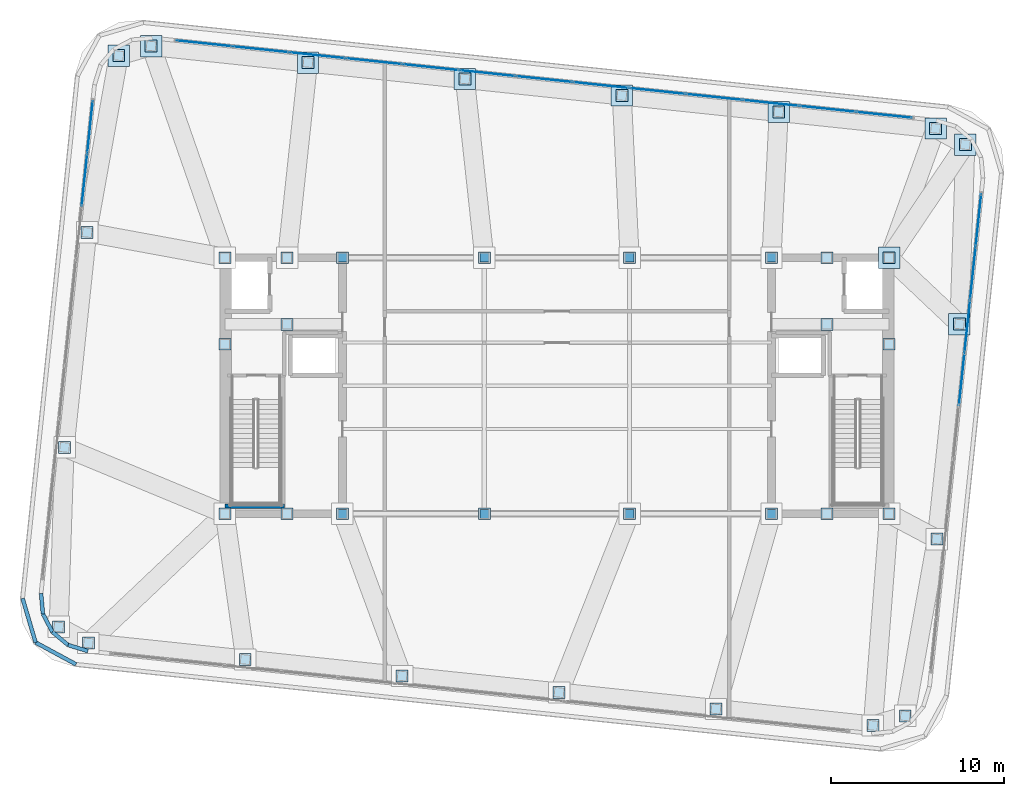
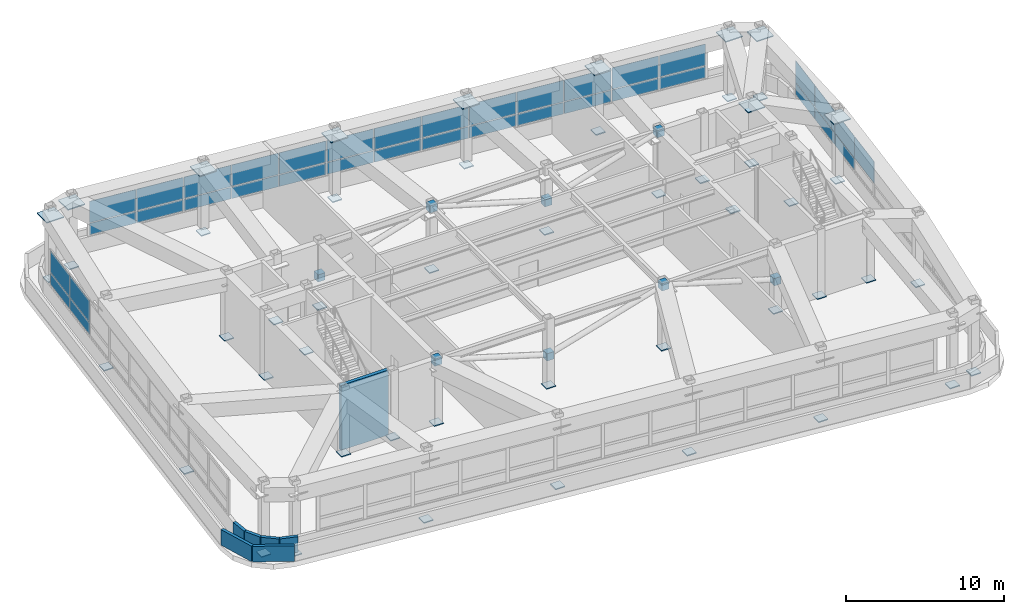
# One storey, part 18 of 22: 95 plates, 7 walls, 3 elements without a shape of their own.
"""IFC4 building model written with IfcOpenShell, lengths in metres."""

from ifc_helpers import new_model, si_unit, direction, frame, frame_2d, origin, origin_2d, place, context, subcontext, project, spatial, rectangle, extrude, material, layer, layer_set, type_object, element, aggregate, save


model = new_model("IFC4")

# Units and contexts
model_context = context("Model", 3, precision=1e-05, world=origin(), true_north=direction((0.0, 1.0)))
body_context = subcontext(model_context, "Body", "Model", "MODEL_VIEW")
ifc_project = project(units=[si_unit("LENGTHUNIT", "METRE"), si_unit("AREAUNIT", "SQUARE_METRE"), si_unit("VOLUMEUNIT", "CUBIC_METRE"), si_unit("PLANEANGLEUNIT", "RADIAN"), si_unit("MASSUNIT", "GRAM", prefix="KILO")], contexts=[model_context])

# Site, building, storey
site_placement = place(None, origin())
site = spatial("IfcSite", under=ifc_project, at=site_placement, CompositionType="ELEMENT")
building_placement = place(site_placement, origin())
building = spatial("IfcBuilding", under=site, at=building_placement, Name="Voryun Gate Residences", CompositionType="ELEMENT")
storey_placement = place(building_placement, frame((0.0, 0.0, 310.699951171875)))
storey = spatial("IfcBuildingStorey", under=building, at=storey_placement, Name="L77", CompositionType="ELEMENT", Elevation=310.699951171875)

# Plates
ifc_material_1 = material(Name="Steel SM355", Category="steel")
ifc_layer_1 = layer(ifc_material_1, 0.02490234375, Name="PLT_END_CAP_25")
ifc_layer_set_1 = layer_set([ifc_layer_1], Name="Steel SM355")
plate_type_1 = type_object("IfcPlateType", Name="PLT_END_CAP_25", PredefinedType="USERDEFINED", material=ifc_layer_set_1)
for number, where, z_axis, x_axis, name in (
    (1, (-19.199951171875, -7.39990234375, -0.0400390625), (0.0, 0.0, 1.0), (1.0, 0.0, 0.0), "L77 Hollow Member End-Cap Plate EC-001"),
    (2, (-19.199951171875, 2.39990234375, -0.0400390625), (0.0, 0.0, 1.0), (1.0, 0.0, 0.0), "L77 Hollow Member End-Cap Plate EC-002"),
    (3, (-19.199951171875, 7.39990234375, -0.0400390625), (0.0, 0.0, 1.0), (1.0, 0.0, 0.0), "L77 Hollow Member End-Cap Plate EC-003"),
    (4, (-15.60009765625, -7.39990234375, -0.0400390625), (0.0, 0.0, 1.0), (1.0, 0.0, 0.0), "L77 Hollow Member End-Cap Plate EC-004"),
    (5, (-15.60009765625, 7.39990234375, -0.0400390625), (0.0, 0.0, 1.0), (1.0, 0.0, 0.0), "L77 Hollow Member End-Cap Plate EC-005"),
    (6, (-12.39990234375, -7.39990234375, -0.0400390625), (0.0, 0.0, 1.0), (1.0, 0.0, 0.0), "L77 Hollow Member End-Cap Plate EC-006"),
    (7, (-15.60009765625, 3.550048828125, -0.0400390625), (0.0, 0.0, 1.0), (1.0, 0.0, 0.0), "L77 Hollow Member End-Cap Plate EC-007"),
    (8, (-12.39990234375, 7.39990234375, -0.0400390625), (0.0, 0.0, 1.0), (1.0, 0.0, 0.0), "L77 Hollow Member End-Cap Plate EC-008"),
    (9, (12.39990234375, -7.39990234375, -0.0400390625), (0.0, 0.0, 1.0), (1.0, 0.0, 0.0), "L77 Hollow Member End-Cap Plate EC-009"),
    (10, (15.60009765625, 3.550048828125, -0.0400390625), (0.0, 0.0, 1.0), (1.0, 0.0, 0.0), "L77 Hollow Member End-Cap Plate EC-010"),
    (11, (12.39990234375, 7.39990234375, -0.0400390625), (0.0, 0.0, 1.0), (1.0, 0.0, 0.0), "L77 Hollow Member End-Cap Plate EC-011"),
    (12, (15.60009765625, -7.39990234375, -0.0400390625), (0.0, 0.0, 1.0), (1.0, 0.0, 0.0), "L77 Hollow Member End-Cap Plate EC-012"),
    (13, (15.60009765625, 7.39990234375, -0.0400390625), (0.0, 0.0, 1.0), (1.0, 0.0, 0.0), "L77 Hollow Member End-Cap Plate EC-013"),
    (14, (19.199951171875, -7.39990234375, -0.0400390625), (0.0, 0.0, 1.0), (1.0, 0.0, 0.0), "L77 Hollow Member End-Cap Plate EC-014"),
    (15, (19.199951171875, 2.39990234375, -0.0400390625), (0.0, 0.0, 1.0), (1.0, 0.0, 0.0), "L77 Hollow Member End-Cap Plate EC-015"),
    (16, (19.199951171875, 7.39990234375, -0.0400390625), (0.0, 0.0, 1.0), (1.0, 0.0, 0.0), "L77 Hollow Member End-Cap Plate EC-016"),
    (17, (-4.199951171875, -7.39990234375, -0.0400390625), (0.0, 0.0, 1.0), (1.0, 0.0, 0.0), "L77 Hollow Member End-Cap Plate EC-045"),
    (18, (-4.199951171875, 7.39990234375, -0.0400390625), (0.0, 0.0, 1.0), (1.0, 0.0, 0.0), "L77 Hollow Member End-Cap Plate EC-046"),
    (19, (4.199951171875, -7.39990234375, -0.0400390625), (0.0, 0.0, 1.0), (1.0, 0.0, 0.0), "L77 Hollow Member End-Cap Plate EC-047"),
    (20, (4.199951171875, 7.39990234375, -0.0400390625), (0.0, 0.0, 1.0), (1.0, 0.0, 0.0), "L77 Hollow Member End-Cap Plate EC-048"),
    (21, (-27.088623046875, -14.87158203125, -0.43994140625), (0.0, 0.0, 1.0), (1.0, 0.0, 0.0), "L77 Hollow Member End-Cap Plate EC-893"),
    (22, (-18.0185546875, -15.824951171875, -0.43994140625), (0.0, 0.0, 1.0), (1.0, 0.0, 0.0), "L77 Hollow Member End-Cap Plate EC-894"),
    (23, (-8.948486328125, -16.7783203125, -0.43994140625), (0.0, 0.0, 1.0), (1.0, 0.0, 0.0), "L77 Hollow Member End-Cap Plate EC-895"),
    (24, (0.12158203125, -17.731689453125, -0.43994140625), (0.0, 0.0, 1.0), (1.0, 0.0, 0.0), "L77 Hollow Member End-Cap Plate EC-896"),
    (25, (9.19140625, -18.684814453125, -0.43994140625), (0.0, 0.0, 1.0), (1.0, 0.0, 0.0), "L77 Hollow Member End-Cap Plate EC-897"),
    (26, (18.261474609375, -19.63818359375, -0.43994140625), (0.0, 0.0, 1.0), (1.0, 0.0, 0.0), "L77 Hollow Member End-Cap Plate EC-898"),
    (27, (20.1328125, -19.083984375, -0.43994140625), (0.0, 0.0, 1.0), (1.0, 0.0, 0.0), "L77 Hollow Member End-Cap Plate EC-899"),
    (28, (21.958251953125, -8.861572265625, -0.43994140625), (0.0, 0.0, 1.0), (1.0, 0.0, 0.0), "L77 Hollow Member End-Cap Plate EC-900"),
    (29, (23.263916015625, 3.56201171875, -0.43994140625), (0.0, 0.0, 1.0), (1.0, 0.0, 0.0), "L77 Hollow Member End-Cap Plate EC-901"),
    (30, (23.603759765625, 13.9404296875, -0.43994140625), (0.0, 0.0, 1.0), (1.0, 0.0, 0.0), "L77 Hollow Member End-Cap Plate EC-902"),
    (31, (21.888671875, 14.87158203125, -0.43994140625), (0.0, 0.0, 1.0), (1.0, 0.0, 0.0), "L77 Hollow Member End-Cap Plate EC-903"),
    (32, (12.818603515625, 15.824951171875, -0.43994140625), (0.0, 0.0, 1.0), (1.0, 0.0, 0.0), "L77 Hollow Member End-Cap Plate EC-904"),
    (33, (3.74853515625, 16.7783203125, -0.43994140625), (0.0, 0.0, 1.0), (1.0, 0.0, 0.0), "L77 Hollow Member End-Cap Plate EC-905"),
    (34, (-5.321533203125, 17.731689453125, -0.43994140625), (0.0, 0.0, 1.0), (1.0, 0.0, 0.0), "L77 Hollow Member End-Cap Plate EC-906"),
    (35, (-14.3916015625, 18.684814453125, -0.43994140625), (0.0, 0.0, 1.0), (1.0, 0.0, 0.0), "L77 Hollow Member End-Cap Plate EC-907"),
    (36, (-23.46142578125, 19.63818359375, -0.43994140625), (0.0, 0.0, 1.0), (1.0, 0.0, 0.0), "L77 Hollow Member End-Cap Plate EC-908"),
    (37, (-25.332763671875, 19.083984375, -0.43994140625), (0.0, 0.0, 1.0), (1.0, 0.0, 0.0), "L77 Hollow Member End-Cap Plate EC-909"),
    (38, (-27.158203125, 8.861572265625, -0.43994140625), (0.0, 0.0, 1.0), (1.0, 0.0, 0.0), "L77 Hollow Member End-Cap Plate EC-910"),
    (39, (-28.464111328125, -3.56201171875, -0.43994140625), (0.0, 0.0, 1.0), (1.0, 0.0, 0.0), "L77 Hollow Member End-Cap Plate EC-911"),
    (40, (-28.8037109375, -13.9404296875, -0.43994140625), (0.0, 0.0, 1.0), (1.0, 0.0, 0.0), "L77 Hollow Member End-Cap Plate EC-912"),
):
    element("IfcPlate", number, at=place(storey_placement, frame(where, z_axis=z_axis, x_axis=x_axis)), inside=storey, type_object=plate_type_1, Name=name, ObjectType="BASE_PLATE", PredefinedType="USERDEFINED", context=body_context, shape_type="SweptSolid", body=[
        extrude(rectangle(XDim=0.68994140625, YDim=0.68994140625, at=origin_2d()), origin(), (0.0, 0.0, 1.0), 0.080078125),
    ])
for number, where, z_axis, x_axis, name in (
    (41, (23.263916015625, 3.56201171875, 4.43505859375), (0.0, 0.0, 1.0), (1.0, 0.0, 0.0), "L77 Hollow Member End-Cap Plate EC-921"),
    (42, (23.603759765625, 13.9404296875, 4.43505859375), (0.0, 0.0, 1.0), (1.0, 0.0, 0.0), "L77 Hollow Member End-Cap Plate EC-922"),
    (43, (21.888671875, 14.87158203125, 4.43505859375), (0.0, 0.0, 1.0), (1.0, 0.0, 0.0), "L77 Hollow Member End-Cap Plate EC-923"),
    (44, (12.818603515625, 15.824951171875, 4.43505859375), (0.0, 0.0, 1.0), (1.0, 0.0, 0.0), "L77 Hollow Member End-Cap Plate EC-924"),
    (45, (3.74853515625, 16.7783203125, 4.43505859375), (0.0, 0.0, 1.0), (1.0, 0.0, 0.0), "L77 Hollow Member End-Cap Plate EC-925"),
    (46, (-5.3212890625, 17.731689453125, 4.43505859375), (0.0, 0.0, 1.0), (1.0, 0.0, 0.0), "L77 Hollow Member End-Cap Plate EC-926"),
    (47, (-14.3916015625, 18.684814453125, 4.43505859375), (0.0, 0.0, 1.0), (1.0, 0.0, 0.0), "L77 Hollow Member End-Cap Plate EC-927"),
    (48, (-23.46142578125, 19.63818359375, 4.43505859375), (0.0, 0.0, 1.0), (1.0, 0.0, 0.0), "L77 Hollow Member End-Cap Plate EC-928"),
    (49, (-25.332763671875, 19.083984375, 4.43505859375), (0.0, 0.0, 1.0), (1.0, 0.0, 0.0), "L77 Hollow Member End-Cap Plate EC-929"),
    (50, (19.199951171875, 7.39990234375, 4.43505859375), (0.0, 0.0, 1.0), (1.0, 0.0, 0.0), "L77 Hollow Member End-Cap Plate EC-938"),
):
    element("IfcPlate", number, at=place(storey_placement, frame(where, z_axis=z_axis, x_axis=x_axis)), inside=storey, type_object=plate_type_1, Name=name, ObjectType="BASE_PLATE", PredefinedType="USERDEFINED", context=body_context, shape_type="SweptSolid", body=[
        extrude(rectangle(XDim=1.239990234375, YDim=1.239990234375, at=origin_2d()), origin(), (0.0, 0.0, 1.0), 0.080078125),
    ])
for number, where, z_axis, x_axis, name in (
    (51, (-4.199951171875, -7.39990234375, 2.10009765625), (0.0, 0.0, 1.0), (1.0, 0.0, 0.0), "L77 Brace Node Connection Plate BN-944"),
    (52, (4.199951171875, -7.39990234375, 4.56494140625), (0.0, 0.0, 1.0), (1.0, 0.0, 0.0), "L77 Brace Node Connection Plate BN-946"),
    (53, (-12.39990234375, 7.39990234375, 2.10009765625), (0.0, 0.0, 1.0), (1.0, 0.0, 0.0), "L77 Brace Node Connection Plate BN-948"),
    (54, (4.199951171875, 7.39990234375, 2.10009765625), (0.0, 0.0, 1.0), (1.0, 0.0, 0.0), "L77 Brace Node Connection Plate BN-950"),
):
    element("IfcPlate", number, at=place(storey_placement, frame(where, z_axis=z_axis, x_axis=x_axis)), inside=storey, type_object=plate_type_1, Name=name, ObjectType="BASE_PLATE", PredefinedType="USERDEFINED", context=body_context, shape_type="SweptSolid", body=[
        extrude(rectangle(XDim=0.52001953125, YDim=0.52001953125, at=origin_2d()), origin(), (0.0, 0.0, 1.0), 0.56005859375),
    ])

# Curtain wall, plates
ifc_material_2 = material(Name="Anodised aluminium", Category="aluminium")
ifc_layer_2 = layer(ifc_material_2, 0.22998046875, Name="CW_SYS_LANTERN_DARK_GLASS")
ifc_layer_set_2 = layer_set([ifc_layer_2], Name="Anodised aluminium")
curtain_wall_type = type_object("IfcCurtainWallType", Name="CW_SYS_LANTERN_DARK_GLASS", PredefinedType="NOTDEFINED", material=ifc_layer_set_2)
curtain_wall_1_placement = place(storey_placement, origin())
curtain_wall_1 = element("IfcCurtainWall", 55, at=curtain_wall_1_placement, inside=storey, type_object=curtain_wall_type, Name="Curtain wall CW6-L77-06", PredefinedType="NOTDEFINED")
ifc_material_3 = material(Name="Fritted lantern glass", Category="glass")
ifc_layer_3 = layer(ifc_material_3, 0.050048828125, Name="PLT_GLASS_FRIT_LANTERN")
ifc_layer_set_3 = layer_set([ifc_layer_3], Name="Fritted lantern glass")
plate_type_2 = type_object("IfcPlateType", Name="PLT_GLASS_FRIT_LANTERN", PredefinedType="CURTAIN_PANEL", material=ifc_layer_set_3)
plate_1_placement = place(storey_placement, frame((-27.310302734375, 11.91162109375, 1.25), z_axis=(0.0, 0.0, 1.0), x_axis=(0.104528004296, 0.994521943608, 0.0)))
plate_1 = element("IfcPlate", 56, at=plate_1_placement, type_object=plate_type_2, Name="CW6 panel 8.1", PredefinedType="CURTAIN_PANEL", context=body_context, shape_type="SweptSolid", body=[
    extrude(rectangle(XDim=3.02783203125, YDim=0.028076171875, at=origin_2d()), origin(), (0.0, 0.0, 1.0), 0.89111328125),
])
plate_2_placement = place(storey_placement, frame((-27.310302734375, 11.91162109375, 2.201171875), z_axis=(0.0, 0.0, 1.0), x_axis=(0.104528004296, 0.994521943608, 0.0)))
plate_2 = element("IfcPlate", 57, at=plate_2_placement, type_object=plate_type_2, Name="CW6 panel 8.2", PredefinedType="CURTAIN_PANEL", context=body_context, shape_type="SweptSolid", body=[
    extrude(rectangle(XDim=3.02783203125, YDim=0.028076171875, at=origin_2d()), origin(), (0.0, 0.0, 1.0), 1.654052734375),
])
plate_3_placement = place(storey_placement, frame((-26.989013671875, 14.9677734375, 1.25), z_axis=(0.0, 0.0, 1.0), x_axis=(0.104528004296, 0.994521943608, 0.0)))
plate_3 = element("IfcPlate", 58, at=plate_3_placement, type_object=plate_type_2, Name="CW6 panel 9.1", PredefinedType="CURTAIN_PANEL", context=body_context, shape_type="SweptSolid", body=[
    extrude(rectangle(XDim=2.997802734375, YDim=0.028076171875, at=origin_2d()), origin(), (0.0, 0.0, 1.0), 0.89111328125),
])
plate_4_placement = place(storey_placement, frame((-26.989013671875, 14.9677734375, 2.201171875), z_axis=(0.0, 0.0, 1.0), x_axis=(0.104528004296, 0.994521943608, 0.0)))
plate_4 = element("IfcPlate", 59, at=plate_4_placement, type_object=plate_type_2, Name="CW6 panel 9.2", PredefinedType="CURTAIN_PANEL", context=body_context, shape_type="SweptSolid", body=[
    extrude(rectangle(XDim=2.997802734375, YDim=0.028076171875, at=origin_2d()), origin(), (0.0, 0.0, 1.0), 1.654052734375),
])
aggregate(curtain_wall_1, [plate_1, plate_2, plate_3, plate_4])

curtain_wall_2_placement = place(storey_placement, origin())
curtain_wall_2 = element("IfcCurtainWall", 60, at=curtain_wall_2_placement, inside=storey, type_object=curtain_wall_type, Name="Curtain wall CW6-L77-11", PredefinedType="NOTDEFINED")
plate_5_placement = place(storey_placement, frame((-20.382080078125, 19.787109375, 1.25), z_axis=(0.0, 0.0, 1.0), x_axis=(0.994521969434, -0.10452775858, 0.0)))
plate_5 = element("IfcPlate", 61, at=plate_5_placement, type_object=plate_type_2, Name="CW6 panel 1.1", PredefinedType="CURTAIN_PANEL", context=body_context, shape_type="SweptSolid", body=[
    extrude(rectangle(XDim=3.20458984375, YDim=0.028076171875, at=origin_2d()), origin(), (0.0, 0.0, 1.0), 0.89111328125),
])
plate_6_placement = place(storey_placement, frame((-20.382080078125, 19.787109375, 2.201171875), z_axis=(0.0, 0.0, 1.0), x_axis=(0.994521969434, -0.10452775858, 0.0)))
plate_6 = element("IfcPlate", 62, at=plate_6_placement, type_object=plate_type_2, Name="CW6 panel 1.2", PredefinedType="CURTAIN_PANEL", context=body_context, shape_type="SweptSolid", body=[
    extrude(rectangle(XDim=3.20458984375, YDim=0.028076171875, at=origin_2d()), origin(), (0.0, 0.0, 1.0), 1.654052734375),
])
plate_7_placement = place(storey_placement, frame((-17.120361328125, 19.4443359375, 1.25), z_axis=(0.0, 0.0, 1.0), x_axis=(0.994521969434, -0.10452775858, 0.0)))
plate_7 = element("IfcPlate", 63, at=plate_7_placement, type_object=plate_type_2, Name="CW6 panel 2.1", PredefinedType="CURTAIN_PANEL", context=body_context, shape_type="SweptSolid", body=[
    extrude(rectangle(XDim=3.234619140625, YDim=0.028076171875, at=origin_2d()), origin(), (0.0, 0.0, 1.0), 0.89111328125),
])
plate_8_placement = place(storey_placement, frame((-17.120361328125, 19.4443359375, 2.201171875), z_axis=(0.0, 0.0, 1.0), x_axis=(0.994521969434, -0.10452775858, 0.0)))
plate_8 = element("IfcPlate", 64, at=plate_8_placement, type_object=plate_type_2, Name="CW6 panel 2.2", PredefinedType="CURTAIN_PANEL", context=body_context, shape_type="SweptSolid", body=[
    extrude(rectangle(XDim=3.234619140625, YDim=0.028076171875, at=origin_2d()), origin(), (0.0, 0.0, 1.0), 1.654052734375),
])
plate_9_placement = place(storey_placement, frame((-13.84375, 19.099853515625, 1.25), z_axis=(0.0, 0.0, 1.0), x_axis=(0.994521969434, -0.10452775858, 0.0)))
plate_9 = element("IfcPlate", 65, at=plate_9_placement, type_object=plate_type_2, Name="CW6 panel 3.1", PredefinedType="CURTAIN_PANEL", context=body_context, shape_type="SweptSolid", body=[
    extrude(rectangle(XDim=3.234619140625, YDim=0.028076171875, at=origin_2d()), origin(), (0.0, 0.0, 1.0), 0.89111328125),
])
plate_10_placement = place(storey_placement, frame((-13.84375, 19.099853515625, 2.201171875), z_axis=(0.0, 0.0, 1.0), x_axis=(0.994521969434, -0.10452775858, 0.0)))
plate_10 = element("IfcPlate", 66, at=plate_10_placement, type_object=plate_type_2, Name="CW6 panel 3.2", PredefinedType="CURTAIN_PANEL", context=body_context, shape_type="SweptSolid", body=[
    extrude(rectangle(XDim=3.234619140625, YDim=0.028076171875, at=origin_2d()), origin(), (0.0, 0.0, 1.0), 1.654052734375),
])
plate_11_placement = place(storey_placement, frame((-10.567138671875, 18.755615234375, 1.25), z_axis=(0.0, 0.0, 1.0), x_axis=(0.994521969434, -0.10452775858, 0.0)))
plate_11 = element("IfcPlate", 67, at=plate_11_placement, type_object=plate_type_2, Name="CW6 panel 4.1", PredefinedType="CURTAIN_PANEL", context=body_context, shape_type="SweptSolid", body=[
    extrude(rectangle(XDim=3.234619140625, YDim=0.028076171875, at=origin_2d()), origin(), (0.0, 0.0, 1.0), 0.89111328125),
])
plate_12_placement = place(storey_placement, frame((-10.567138671875, 18.755615234375, 2.201171875), z_axis=(0.0, 0.0, 1.0), x_axis=(0.994521969434, -0.10452775858, 0.0)))
plate_12 = element("IfcPlate", 68, at=plate_12_placement, type_object=plate_type_2, Name="CW6 panel 4.2", PredefinedType="CURTAIN_PANEL", context=body_context, shape_type="SweptSolid", body=[
    extrude(rectangle(XDim=3.234619140625, YDim=0.028076171875, at=origin_2d()), origin(), (0.0, 0.0, 1.0), 1.654052734375),
])
plate_13_placement = place(storey_placement, frame((-7.29052734375, 18.4111328125, 1.25), z_axis=(0.0, 0.0, 1.0), x_axis=(0.994521969434, -0.10452775858, 0.0)))
plate_13 = element("IfcPlate", 69, at=plate_13_placement, type_object=plate_type_2, Name="CW6 panel 5.1", PredefinedType="CURTAIN_PANEL", context=body_context, shape_type="SweptSolid", body=[
    extrude(rectangle(XDim=3.234619140625, YDim=0.028076171875, at=origin_2d()), origin(), (0.0, 0.0, 1.0), 0.89111328125),
])
plate_14_placement = place(storey_placement, frame((-7.29052734375, 18.4111328125, 2.201171875), z_axis=(0.0, 0.0, 1.0), x_axis=(0.994521969434, -0.10452775858, 0.0)))
plate_14 = element("IfcPlate", 70, at=plate_14_placement, type_object=plate_type_2, Name="CW6 panel 5.2", PredefinedType="CURTAIN_PANEL", context=body_context, shape_type="SweptSolid", body=[
    extrude(rectangle(XDim=3.234619140625, YDim=0.028076171875, at=origin_2d()), origin(), (0.0, 0.0, 1.0), 1.654052734375),
])
plate_15_placement = place(storey_placement, frame((-4.013916015625, 18.06689453125, 1.25), z_axis=(0.0, 0.0, 1.0), x_axis=(0.994521969434, -0.10452775858, 0.0)))
plate_15 = element("IfcPlate", 71, at=plate_15_placement, type_object=plate_type_2, Name="CW6 panel 6.1", PredefinedType="CURTAIN_PANEL", context=body_context, shape_type="SweptSolid", body=[
    extrude(rectangle(XDim=3.234619140625, YDim=0.028076171875, at=origin_2d()), origin(), (0.0, 0.0, 1.0), 0.89111328125),
])
plate_16_placement = place(storey_placement, frame((-4.013916015625, 18.06689453125, 2.201171875), z_axis=(0.0, 0.0, 1.0), x_axis=(0.994521969434, -0.10452775858, 0.0)))
plate_16 = element("IfcPlate", 72, at=plate_16_placement, type_object=plate_type_2, Name="CW6 panel 6.2", PredefinedType="CURTAIN_PANEL", context=body_context, shape_type="SweptSolid", body=[
    extrude(rectangle(XDim=3.234619140625, YDim=0.028076171875, at=origin_2d()), origin(), (0.0, 0.0, 1.0), 1.654052734375),
])
plate_17_placement = place(storey_placement, frame((-0.7373046875, 17.722412109375, 1.25), z_axis=(0.0, 0.0, 1.0), x_axis=(0.994521969434, -0.10452775858, 0.0)))
plate_17 = element("IfcPlate", 73, at=plate_17_placement, type_object=plate_type_2, Name="CW6 panel 7.1", PredefinedType="CURTAIN_PANEL", context=body_context, shape_type="SweptSolid", body=[
    extrude(rectangle(XDim=3.234619140625, YDim=0.028076171875, at=origin_2d()), origin(), (0.0, 0.0, 1.0), 0.89111328125),
])
plate_18_placement = place(storey_placement, frame((-0.7373046875, 17.722412109375, 2.201171875), z_axis=(0.0, 0.0, 1.0), x_axis=(0.994521969434, -0.10452775858, 0.0)))
plate_18 = element("IfcPlate", 74, at=plate_18_placement, type_object=plate_type_2, Name="CW6 panel 7.2", PredefinedType="CURTAIN_PANEL", context=body_context, shape_type="SweptSolid", body=[
    extrude(rectangle(XDim=3.234619140625, YDim=0.028076171875, at=origin_2d()), origin(), (0.0, 0.0, 1.0), 1.654052734375),
])
plate_19_placement = place(storey_placement, frame((2.539306640625, 17.3779296875, 1.25), z_axis=(0.0, 0.0, 1.0), x_axis=(0.994521969434, -0.10452775858, 0.0)))
plate_19 = element("IfcPlate", 75, at=plate_19_placement, type_object=plate_type_2, Name="CW6 panel 8.1", PredefinedType="CURTAIN_PANEL", context=body_context, shape_type="SweptSolid", body=[
    extrude(rectangle(XDim=3.234619140625, YDim=0.028076171875, at=origin_2d()), origin(), (0.0, 0.0, 1.0), 0.89111328125),
])
plate_20_placement = place(storey_placement, frame((2.539306640625, 17.3779296875, 2.201171875), z_axis=(0.0, 0.0, 1.0), x_axis=(0.994521969434, -0.10452775858, 0.0)))
plate_20 = element("IfcPlate", 76, at=plate_20_placement, type_object=plate_type_2, Name="CW6 panel 8.2", PredefinedType="CURTAIN_PANEL", context=body_context, shape_type="SweptSolid", body=[
    extrude(rectangle(XDim=3.234619140625, YDim=0.028076171875, at=origin_2d()), origin(), (0.0, 0.0, 1.0), 1.654052734375),
])
plate_21_placement = place(storey_placement, frame((5.81591796875, 17.03369140625, 1.25), z_axis=(0.0, 0.0, 1.0), x_axis=(0.994521969434, -0.10452775858, 0.0)))
plate_21 = element("IfcPlate", 77, at=plate_21_placement, type_object=plate_type_2, Name="CW6 panel 9.1", PredefinedType="CURTAIN_PANEL", context=body_context, shape_type="SweptSolid", body=[
    extrude(rectangle(XDim=3.234619140625, YDim=0.028076171875, at=origin_2d()), origin(), (0.0, 0.0, 1.0), 0.89111328125),
])
plate_22_placement = place(storey_placement, frame((5.81591796875, 17.03369140625, 2.201171875), z_axis=(0.0, 0.0, 1.0), x_axis=(0.994521969434, -0.10452775858, 0.0)))
plate_22 = element("IfcPlate", 78, at=plate_22_placement, type_object=plate_type_2, Name="CW6 panel 9.2", PredefinedType="CURTAIN_PANEL", context=body_context, shape_type="SweptSolid", body=[
    extrude(rectangle(XDim=3.234619140625, YDim=0.028076171875, at=origin_2d()), origin(), (0.0, 0.0, 1.0), 1.654052734375),
])
plate_23_placement = place(storey_placement, frame((9.092529296875, 16.689208984375, 1.25), z_axis=(0.0, 0.0, 1.0), x_axis=(0.994521969434, -0.10452775858, 0.0)))
plate_23 = element("IfcPlate", 79, at=plate_23_placement, type_object=plate_type_2, Name="CW6 panel 10.1", PredefinedType="CURTAIN_PANEL", context=body_context, shape_type="SweptSolid", body=[
    extrude(rectangle(XDim=3.234619140625, YDim=0.028076171875, at=origin_2d()), origin(), (0.0, 0.0, 1.0), 0.89111328125),
])
plate_24_placement = place(storey_placement, frame((9.092529296875, 16.689208984375, 2.201171875), z_axis=(0.0, 0.0, 1.0), x_axis=(0.994521969434, -0.10452775858, 0.0)))
plate_24 = element("IfcPlate", 80, at=plate_24_placement, type_object=plate_type_2, Name="CW6 panel 10.2", PredefinedType="CURTAIN_PANEL", context=body_context, shape_type="SweptSolid", body=[
    extrude(rectangle(XDim=3.234619140625, YDim=0.028076171875, at=origin_2d()), origin(), (0.0, 0.0, 1.0), 1.654052734375),
])
plate_25_placement = place(storey_placement, frame((12.369140625, 16.344970703125, 1.25), z_axis=(0.0, 0.0, 1.0), x_axis=(0.994521969434, -0.10452775858, 0.0)))
plate_25 = element("IfcPlate", 81, at=plate_25_placement, type_object=plate_type_2, Name="CW6 panel 11.1", PredefinedType="CURTAIN_PANEL", context=body_context, shape_type="SweptSolid", body=[
    extrude(rectangle(XDim=3.234619140625, YDim=0.028076171875, at=origin_2d()), origin(), (0.0, 0.0, 1.0), 0.89111328125),
])
plate_26_placement = place(storey_placement, frame((12.369140625, 16.344970703125, 2.201171875), z_axis=(0.0, 0.0, 1.0), x_axis=(0.994521969434, -0.10452775858, 0.0)))
plate_26 = element("IfcPlate", 82, at=plate_26_placement, type_object=plate_type_2, Name="CW6 panel 11.2", PredefinedType="CURTAIN_PANEL", context=body_context, shape_type="SweptSolid", body=[
    extrude(rectangle(XDim=3.234619140625, YDim=0.028076171875, at=origin_2d()), origin(), (0.0, 0.0, 1.0), 1.654052734375),
])
plate_27_placement = place(storey_placement, frame((15.645751953125, 16.00048828125, 1.25), z_axis=(0.0, 0.0, 1.0), x_axis=(0.994521969434, -0.10452775858, 0.0)))
plate_27 = element("IfcPlate", 83, at=plate_27_placement, type_object=plate_type_2, Name="CW6 panel 12.1", PredefinedType="CURTAIN_PANEL", context=body_context, shape_type="SweptSolid", body=[
    extrude(rectangle(XDim=3.234619140625, YDim=0.028076171875, at=origin_2d()), origin(), (0.0, 0.0, 1.0), 0.89111328125),
])
plate_28_placement = place(storey_placement, frame((15.645751953125, 16.00048828125, 2.201171875), z_axis=(0.0, 0.0, 1.0), x_axis=(0.994521969434, -0.10452775858, 0.0)))
plate_28 = element("IfcPlate", 84, at=plate_28_placement, type_object=plate_type_2, Name="CW6 panel 12.2", PredefinedType="CURTAIN_PANEL", context=body_context, shape_type="SweptSolid", body=[
    extrude(rectangle(XDim=3.234619140625, YDim=0.028076171875, at=origin_2d()), origin(), (0.0, 0.0, 1.0), 1.654052734375),
])
plate_29_placement = place(storey_placement, frame((18.907470703125, 15.65771484375, 1.25), z_axis=(0.0, 0.0, 1.0), x_axis=(0.994521969434, -0.10452775858, 0.0)))
plate_29 = element("IfcPlate", 85, at=plate_29_placement, type_object=plate_type_2, Name="CW6 panel 13.1", PredefinedType="CURTAIN_PANEL", context=body_context, shape_type="SweptSolid", body=[
    extrude(rectangle(XDim=3.20458984375, YDim=0.028076171875, at=origin_2d()), origin(), (0.0, 0.0, 1.0), 0.89111328125),
])
plate_30_placement = place(storey_placement, frame((18.907470703125, 15.65771484375, 2.201171875), z_axis=(0.0, 0.0, 1.0), x_axis=(0.994521969434, -0.10452775858, 0.0)))
plate_30 = element("IfcPlate", 86, at=plate_30_placement, type_object=plate_type_2, Name="CW6 panel 13.2", PredefinedType="CURTAIN_PANEL", context=body_context, shape_type="SweptSolid", body=[
    extrude(rectangle(XDim=3.20458984375, YDim=0.028076171875, at=origin_2d()), origin(), (0.0, 0.0, 1.0), 1.654052734375),
])
aggregate(curtain_wall_2, [plate_5, plate_6, plate_7, plate_8, plate_9, plate_10, plate_11, plate_12, plate_13, plate_14, plate_15, plate_16, plate_17, plate_18, plate_19, plate_20, plate_21, plate_22, plate_23, plate_24, plate_25, plate_26, plate_27, plate_28, plate_29, plate_30])

curtain_wall_3_placement = place(storey_placement, origin())
curtain_wall_3 = element("IfcCurtainWall", 87, at=curtain_wall_3_placement, inside=storey, type_object=curtain_wall_type, Name="Curtain wall CW6-L77-16", PredefinedType="NOTDEFINED")
plate_31_placement = place(storey_placement, frame((24.3681640625, 9.56982421875, 1.25), z_axis=(0.0, 0.0, 1.0), x_axis=(-0.104528004296, -0.994521943608, 0.0)))
plate_31 = element("IfcPlate", 88, at=plate_31_placement, type_object=plate_type_2, Name="CW6 panel 1.1", PredefinedType="CURTAIN_PANEL", context=body_context, shape_type="SweptSolid", body=[
    extrude(rectangle(XDim=2.997802734375, YDim=0.028076171875, at=origin_2d()), origin(), (0.0, 0.0, 1.0), 0.89111328125),
])
plate_32_placement = place(storey_placement, frame((24.3681640625, 9.56982421875, 2.201171875), z_axis=(0.0, 0.0, 1.0), x_axis=(-0.104528004296, -0.994521943608, 0.0)))
plate_32 = element("IfcPlate", 89, at=plate_32_placement, type_object=plate_type_2, Name="CW6 panel 1.2", PredefinedType="CURTAIN_PANEL", context=body_context, shape_type="SweptSolid", body=[
    extrude(rectangle(XDim=2.997802734375, YDim=0.028076171875, at=origin_2d()), origin(), (0.0, 0.0, 1.0), 1.654052734375),
])
plate_33_placement = place(storey_placement, frame((24.046875, 6.513916015625, 1.25), z_axis=(0.0, 0.0, 1.0), x_axis=(-0.104528004296, -0.994521943608, 0.0)))
plate_33 = element("IfcPlate", 90, at=plate_33_placement, type_object=plate_type_2, Name="CW6 panel 2.1", PredefinedType="CURTAIN_PANEL", context=body_context, shape_type="SweptSolid", body=[
    extrude(rectangle(XDim=3.02783203125, YDim=0.028076171875, at=origin_2d()), origin(), (0.0, 0.0, 1.0), 0.89111328125),
])
plate_34_placement = place(storey_placement, frame((24.046875, 6.513916015625, 2.201171875), z_axis=(0.0, 0.0, 1.0), x_axis=(-0.104528004296, -0.994521943608, 0.0)))
plate_34 = element("IfcPlate", 91, at=plate_34_placement, type_object=plate_type_2, Name="CW6 panel 2.2", PredefinedType="CURTAIN_PANEL", context=body_context, shape_type="SweptSolid", body=[
    extrude(rectangle(XDim=3.02783203125, YDim=0.028076171875, at=origin_2d()), origin(), (0.0, 0.0, 1.0), 1.654052734375),
])
plate_35_placement = place(storey_placement, frame((23.72412109375, 3.44287109375, 1.25), z_axis=(0.0, 0.0, 1.0), x_axis=(-0.104528004296, -0.994521943608, 0.0)))
plate_35 = element("IfcPlate", 92, at=plate_35_placement, type_object=plate_type_2, Name="CW6 panel 3.1", PredefinedType="CURTAIN_PANEL", context=body_context, shape_type="SweptSolid", body=[
    extrude(rectangle(XDim=3.02783203125, YDim=0.028076171875, at=origin_2d()), origin(), (0.0, 0.0, 1.0), 0.89111328125),
])
plate_36_placement = place(storey_placement, frame((23.72412109375, 3.44287109375, 2.201171875), z_axis=(0.0, 0.0, 1.0), x_axis=(-0.104528004296, -0.994521943608, 0.0)))
plate_36 = element("IfcPlate", 93, at=plate_36_placement, type_object=plate_type_2, Name="CW6 panel 3.2", PredefinedType="CURTAIN_PANEL", context=body_context, shape_type="SweptSolid", body=[
    extrude(rectangle(XDim=3.02783203125, YDim=0.028076171875, at=origin_2d()), origin(), (0.0, 0.0, 1.0), 1.654052734375),
])
plate_37_placement = place(storey_placement, frame((23.4013671875, 0.3720703125, 2.201171875), z_axis=(0.0, 0.0, 1.0), x_axis=(-0.104528004296, -0.994521943608, 0.0)))
plate_37 = element("IfcPlate", 94, at=plate_37_placement, type_object=plate_type_2, Name="CW6 panel 4.2", PredefinedType="CURTAIN_PANEL", context=body_context, shape_type="SweptSolid", body=[
    extrude(rectangle(XDim=3.02783203125, YDim=0.028076171875, at=origin_2d()), origin(), (0.0, 0.0, 1.0), 1.654052734375),
])
aggregate(curtain_wall_3, [plate_31, plate_32, plate_33, plate_34, plate_35, plate_36, plate_37])

# Plates
ifc_material_4 = material(Name="Steel SM420", Category="steel")
ifc_layer_4 = layer(ifc_material_4, 0.035888671875, Name="PLT_OUTRIGGER_GUSSET_36")
ifc_layer_set_4 = layer_set([ifc_layer_4], Name="Steel SM420")
plate_type_3 = type_object("IfcPlateType", Name="PLT_OUTRIGGER_GUSSET_36", PredefinedType="USERDEFINED", material=ifc_layer_set_4)
for number, where, z_axis, x_axis, name in (
    (95, (-12.39990234375, -7.39990234375, 4.56494140625), (0.0, 0.0, 1.0), (1.0, 0.0, 0.0), "L77 Brace Node Connection Plate BN-945"),
    (96, (12.39990234375, -7.39990234375, 2.10009765625), (0.0, 0.0, 1.0), (1.0, 0.0, 0.0), "L77 Brace Node Connection Plate BN-947"),
    (97, (-4.199951171875, 7.39990234375, 4.56494140625), (0.0, 0.0, 1.0), (1.0, 0.0, 0.0), "L77 Brace Node Connection Plate BN-949"),
    (98, (12.39990234375, 7.39990234375, 4.56494140625), (0.0, 0.0, 1.0), (1.0, 0.0, 0.0), "L77 Brace Node Connection Plate BN-951"),
):
    element("IfcPlate", number, at=place(storey_placement, frame(where, z_axis=z_axis, x_axis=x_axis)), inside=storey, type_object=plate_type_3, Name=name, ObjectType="GUSSET_PLATE", PredefinedType="USERDEFINED", context=body_context, shape_type="SweptSolid", body=[
        extrude(rectangle(XDim=0.52001953125, YDim=0.52001953125, at=origin_2d()), origin(), (0.0, 0.0, 1.0), 0.56005859375),
    ])

# Walls
ifc_material_5 = material(Name="Precast concrete C40/50", Category="concrete")
ifc_layer_5 = layer(ifc_material_5, 0.219970703125, Name="W_PARAPET_CURB_220")
ifc_layer_set_5 = layer_set([ifc_layer_5], Name="Precast concrete C40/50")
wall_type_1 = type_object("IfcWallType", Name="W_PARAPET_CURB_220", PredefinedType="PARAPET", material=ifc_layer_set_5)
wall_1_placement = place(storey_placement, frame((-27.1201171875, -15.341064453125, 0.0), z_axis=(0.0, 0.0, 1.0), x_axis=(-0.95499831015, 0.296611239858, 0.0)))
element("IfcWall", 99, at=wall_1_placement, inside=storey, type_object=wall_type_1, Name="Exterior wall WCRN-L77-02", PredefinedType="PARAPET", context=body_context, shape_type="SweptSolid", body=[
    extrude(rectangle(XDim=1.195068359375, YDim=0.219970703125, at=frame_2d((0.59765625, 0.0))), origin(), (0.0, 0.0, 1.0), 1.199951171875),
])
wall_2_placement = place(storey_placement, frame((-28.261474609375, -14.986572265625, 0.0), z_axis=(0.0, 0.0, 1.0), x_axis=(-0.768849923601, 0.639429272852, 0.0)))
element("IfcWall", 100, at=wall_2_placement, inside=storey, type_object=wall_type_1, Name="Exterior wall WCRN-L77-03", PredefinedType="PARAPET", context=body_context, shape_type="SweptSolid", body=[
    extrude(rectangle(XDim=1.177001953125, YDim=0.219970703125, at=frame_2d((0.58837890625, 0.0))), origin(), (0.0, 0.0, 1.0), 1.199951171875),
])
wall_3_placement = place(storey_placement, frame((-29.16650390625, -14.23388671875, 0.0), z_axis=(0.0, 0.0, 1.0), x_axis=(-0.46554120999, 0.885026204019, 0.0)))
element("IfcWall", 101, at=wall_3_placement, inside=storey, type_object=wall_type_1, Name="Exterior wall WCRN-L77-04", PredefinedType="PARAPET", context=body_context, shape_type="SweptSolid", body=[
    extrude(rectangle(XDim=1.1767578125, YDim=0.219970703125, at=frame_2d((0.58837890625, 0.0))), origin(), (0.0, 0.0, 1.0), 1.199951171875),
])
wall_4_placement = place(storey_placement, frame((-29.71435546875, -13.1923828125, 0.0), z_axis=(0.0, 0.0, 1.0), x_axis=(-0.091530451467, 0.995802277791, 0.0)))
element("IfcWall", 102, at=wall_4_placement, inside=storey, type_object=wall_type_1, Name="Exterior wall WCRN-L77-05", PredefinedType="PARAPET", context=body_context, shape_type="SweptSolid", body=[
    extrude(rectangle(XDim=1.195068359375, YDim=0.219970703125, at=frame_2d((0.59765625, 0.0))), origin(), (0.0, 0.0, 1.0), 1.199951171875),
])
wall_5_placement = place(storey_placement, frame((-27.806640625, -16.103515625, 0.0), z_axis=(0.0, 0.0, 1.0), x_axis=(-0.879316052963, 0.476238678607, 0.0)))
element("IfcWall", 103, at=wall_5_placement, inside=storey, type_object=wall_type_1, Name="Exterior wall WCRN-L77-EAVE-02", PredefinedType="PARAPET", context=body_context, shape_type="SweptSolid", body=[
    extrude(rectangle(XDim=2.65283203125, YDim=0.219970703125, at=frame_2d((1.326416015625, 0.0))), origin(), (0.0, 0.0, 1.0), 1.199951171875),
])
wall_6_placement = place(storey_placement, frame((-30.139404296875, -14.840087890625, 0.0), z_axis=(0.0, 0.0, 1.0), x_axis=(-0.282963347721, 0.959130723023, 0.0)))
element("IfcWall", 104, at=wall_6_placement, inside=storey, type_object=wall_type_1, Name="Exterior wall WCRN-L77-EAVE-03", PredefinedType="PARAPET", context=body_context, shape_type="SweptSolid", body=[
    extrude(rectangle(XDim=2.653076171875, YDim=0.219970703125, at=frame_2d((1.32666015625, 0.0))), origin(), (0.0, 0.0, 1.0), 1.199951171875),
])
ifc_material_6 = material(Name="Concrete C50/60", Category="concrete")
ifc_layer_6 = layer(ifc_material_6, 0.25, Name="W_SHAFT_RC250")
ifc_layer_set_6 = layer_set([ifc_layer_6], Name="Concrete C50/60")
wall_type_2 = type_object("IfcWallType", Name="W_SHAFT_RC250", PredefinedType="SOLIDWALL", material=ifc_layer_set_6)
wall_7_placement = place(storey_placement, frame((-19.199951171875, -6.965087890625, 0.0), z_axis=(0.0, 0.0, 1.0), x_axis=(1.0, 0.0, 0.0)))
element("IfcWall", 105, at=wall_7_placement, inside=storey, type_object=wall_type_2, Name="L77 Stair shaft structural wall W-STS", PredefinedType="SOLIDWALL", context=body_context, shape_type="SweptSolid", body=[
    extrude(rectangle(XDim=3.4599609375, YDim=0.25, at=frame_2d((1.72998046875, 0.0))), origin(), (0.0, 0.0, 1.0), 5.025146484375),
])

save(model, "model.ifc")
